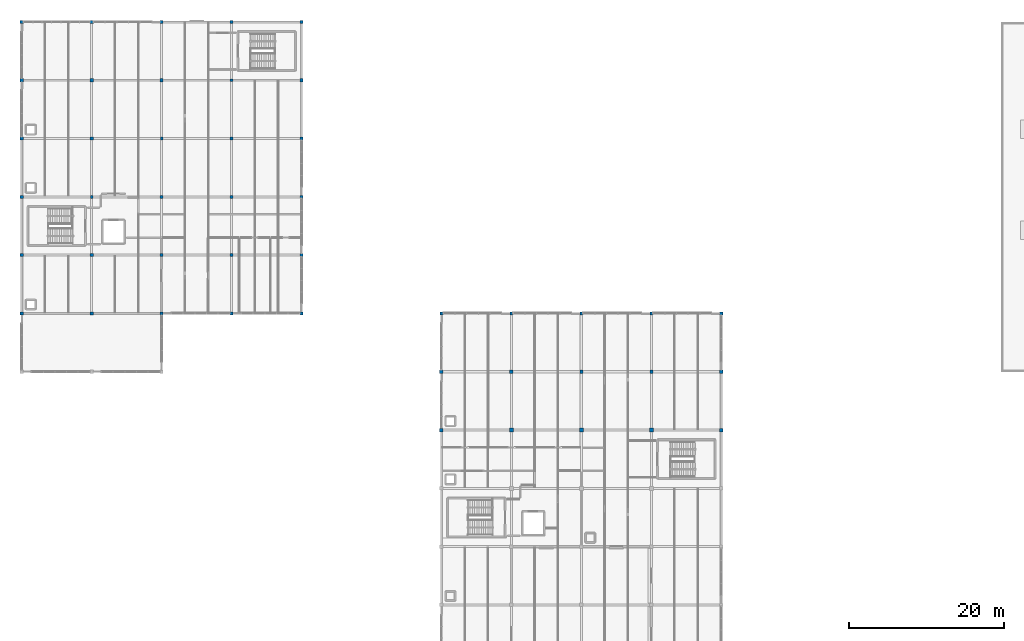
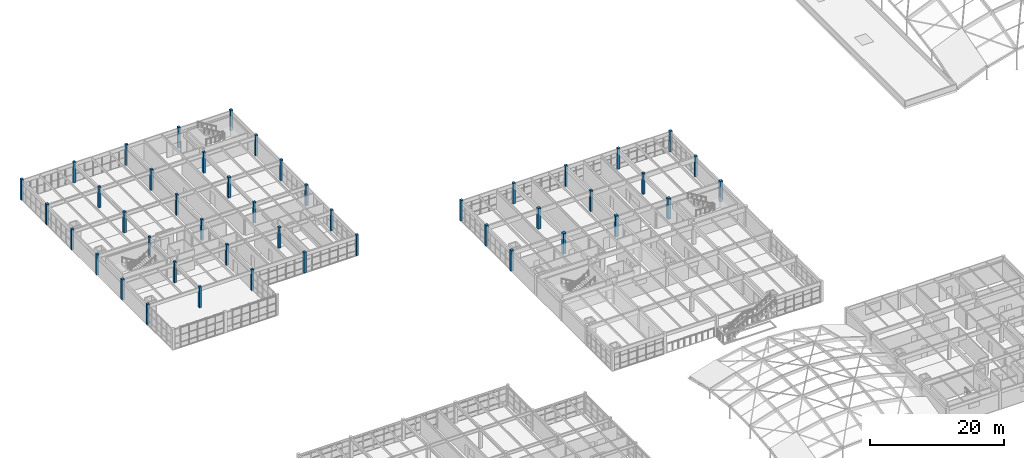
# One storey, part 2 of 81: 45 columns.
"""IFC4 building model written with IfcOpenShell, lengths in metres."""

from ifc_helpers import new_model, si_unit, direction, frame, origin, origin_2d, place, context, subcontext, project, spatial, rectangle, extrude, material, material_profile, profile_set, type_object, element, save


model = new_model("IFC4")

# Units and contexts
model_context = context("Model", 3, precision=1e-05, world=origin(), true_north=direction((0.0, 1.0)))
body_context = subcontext(model_context, "Body", "Model", "MODEL_VIEW")
ifc_project = project(units=[si_unit("LENGTHUNIT", "METRE"), si_unit("AREAUNIT", "SQUARE_METRE"), si_unit("VOLUMEUNIT", "CUBIC_METRE"), si_unit("PLANEANGLEUNIT", "RADIAN"), si_unit("MASSUNIT", "GRAM", prefix="KILO")], contexts=[model_context])

# Site, building, storey
site_placement = place(None, origin())
site = spatial("IfcSite", under=ifc_project, at=site_placement, CompositionType="ELEMENT")
building_placement = place(site_placement, origin())
building = spatial("IfcBuilding", under=site, at=building_placement, Name="Marnridge Secondary College", CompositionType="ELEMENT")
storey_placement = place(building_placement, frame((0.0, 0.0, 8.5)))
storey = spatial("IfcBuildingStorey", under=building, at=storey_placement, Name="L02", CompositionType="ELEMENT", Elevation=8.5)

# Columns
ifc_material_1 = material(Name="Glulam timber GL21", Category="wood")
ifc_material_profile_1 = material_profile(ifc_material_1, rectangle(XDim=0.360107421875, YDim=0.360107421875, at=origin_2d()), Name="GL21 360x360")
ifc_profile_set_1 = profile_set([ifc_material_profile_1], Name="Glulam timber GL21")
column_type_1 = type_object("IfcColumnType", Name="CL-GL360-INT", PredefinedType="COLUMN", material=ifc_profile_set_1)
for number, where, z_axis, x_axis, name in (
    (1, (9.0, 97.5, 0.0), (0.0, 0.0, 1.0), (1.0, 0.0, 0.0), "Column C-L02-0535"),
    (2, (18.0, 105.0, 0.0), (0.0, 0.0, 1.0), (1.0, 0.0, 0.0), "Column C-L02-0565"),
    (3, (27.0, 112.5, 0.0), (0.0, 0.0, 1.0), (1.0, 0.0, 0.0), "Column C-L02-0595"),
):
    element("IfcColumn", number, at=place(storey_placement, frame(where, z_axis=z_axis, x_axis=x_axis)), inside=storey, type_object=column_type_1, Name=name, PredefinedType="COLUMN", context=body_context, shape_type="SweptSolid", body=[
        extrude(rectangle(XDim=0.360107421875, YDim=0.360107421875, at=origin_2d()), origin(), (0.0, 0.0, 1.0), 3.800048828125),
    ])
ifc_material_2 = material(Name="Glulam timber GL21", Category="wood")
ifc_material_profile_2 = material_profile(ifc_material_2, rectangle(XDim=0.39990234375, YDim=0.39990234375, at=origin_2d()), Name="GL21 400x400")
ifc_profile_set_2 = profile_set([ifc_material_profile_2], Name="Glulam timber GL21")
column_type_2 = type_object("IfcColumnType", Name="CL-GL400-EXT", PredefinedType="COLUMN", material=ifc_profile_set_2)
for number, where, z_axis, x_axis, name in (
    (4, (72.0, 75.0, 0.0), (0.0, 0.0, 1.0), (1.0, 0.0, 0.0), "Column C-L02-0442"),
    (5, (81.0, 75.0, 0.0), (0.0, 0.0, 1.0), (1.0, 0.0, 0.0), "Column C-L02-0446"),
    (6, (90.0, 75.0, 0.0), (0.0, 0.0, 1.0), (1.0, 0.0, 0.0), "Column C-L02-0450"),
    (7, (0.0, 82.5, 0.0), (0.0, 0.0, 1.0), (1.0, 0.0, 0.0), "Column C-L02-0466"),
    (8, (18.0, 82.5, 0.0), (0.0, 0.0, 1.0), (1.0, 0.0, 0.0), "Column C-L02-0474"),
    (9, (27.0, 82.5, 0.0), (0.0, 0.0, 1.0), (1.0, 0.0, 0.0), "Column C-L02-0478"),
    (10, (36.0, 82.5, 0.0), (0.0, 0.0, 1.0), (1.0, 0.0, 0.0), "Column C-L02-0481"),
    (11, (54.0, 82.5, 0.0), (0.0, 0.0, 1.0), (1.0, 0.0, 0.0), "Column C-L02-0484"),
    (12, (63.0, 82.5, 0.0), (0.0, 0.0, 1.0), (1.0, 0.0, 0.0), "Column C-L02-0487"),
    (13, (72.0, 82.5, 0.0), (0.0, 0.0, 1.0), (1.0, 0.0, 0.0), "Column C-L02-0490"),
    (14, (81.0, 82.5, 0.0), (0.0, 0.0, 1.0), (1.0, 0.0, 0.0), "Column C-L02-0493"),
    (15, (90.0, 82.5, 0.0), (0.0, 0.0, 1.0), (1.0, 0.0, 0.0), "Column C-L02-0496"),
    (16, (0.0, 90.0, 0.0), (0.0, 0.0, 1.0), (1.0, 0.0, 0.0), "Column C-L02-0505"),
    (17, (18.0, 90.0, 0.0), (0.0, 0.0, 1.0), (1.0, 0.0, 0.0), "Column C-L02-0513"),
    (18, (27.0, 90.0, 0.0), (0.0, 0.0, 1.0), (1.0, 0.0, 0.0), "Column C-L02-0517"),
    (19, (36.0, 90.0, 0.0), (0.0, 0.0, 1.0), (1.0, 0.0, 0.0), "Column C-L02-0521"),
    (20, (0.0, 97.5, 0.0), (0.0, 0.0, 1.0), (1.0, 0.0, 0.0), "Column C-L02-0531"),
    (21, (36.0, 97.5, 0.0), (0.0, 0.0, 1.0), (1.0, 0.0, 0.0), "Column C-L02-0547"),
    (22, (0.0, 105.0, 0.0), (0.0, 0.0, 1.0), (1.0, 0.0, 0.0), "Column C-L02-0557"),
    (23, (36.0, 105.0, 0.0), (0.0, 0.0, 1.0), (1.0, 0.0, 0.0), "Column C-L02-0573"),
    (24, (0.0, 112.5, 0.0), (0.0, 0.0, 1.0), (1.0, 0.0, 0.0), "Column C-L02-0583"),
    (25, (36.0, 112.5, 0.0), (0.0, 0.0, 1.0), (1.0, 0.0, 0.0), "Column C-L02-0599"),
    (26, (0.0, 120.0, 0.0), (0.0, 0.0, 1.0), (1.0, 0.0, 0.0), "Column C-L02-0609"),
    (27, (9.0, 120.0, 0.0), (0.0, 0.0, 1.0), (1.0, 0.0, 0.0), "Column C-L02-0613"),
    (28, (18.0, 120.0, 0.0), (0.0, 0.0, 1.0), (1.0, 0.0, 0.0), "Column C-L02-0617"),
    (29, (27.0, 120.0, 0.0), (0.0, 0.0, 1.0), (1.0, 0.0, 0.0), "Column C-L02-0621"),
    (30, (36.0, 120.0, 0.0), (0.0, 0.0, 1.0), (1.0, 0.0, 0.0), "Column C-L02-0625"),
):
    element("IfcColumn", number, at=place(storey_placement, frame(where, z_axis=z_axis, x_axis=x_axis)), inside=storey, type_object=column_type_2, Name=name, PredefinedType="COLUMN", context=body_context, shape_type="SweptSolid", body=[
        extrude(rectangle(XDim=0.39990234375, YDim=0.39990234375, at=origin_2d()), origin(), (0.0, 0.0, 1.0), 3.800048828125),
    ])
ifc_material_3 = material(Name="Glulam timber GL21", Category="wood")
ifc_material_profile_3 = material_profile(ifc_material_3, rectangle(XDim=0.39990234375, YDim=0.39990234375, at=origin_2d()), Name="GL21 400x400")
ifc_profile_set_3 = profile_set([ifc_material_profile_3], Name="Glulam timber GL21")
column_type_3 = type_object("IfcColumnType", Name="CL-GL400-INT", PredefinedType="COLUMN", material=ifc_profile_set_3)
for number, where, z_axis, x_axis, name in (
    (31, (9.0, 82.5, 0.0), (0.0, 0.0, 1.0), (1.0, 0.0, 0.0), "Column C-L02-0470"),
    (32, (9.0, 90.0, 0.0), (0.0, 0.0, 1.0), (1.0, 0.0, 0.0), "Column C-L02-0509"),
    (33, (18.0, 97.5, 0.0), (0.0, 0.0, 1.0), (1.0, 0.0, 0.0), "Column C-L02-0539"),
    (34, (27.0, 97.5, 0.0), (0.0, 0.0, 1.0), (1.0, 0.0, 0.0), "Column C-L02-0543"),
    (35, (9.0, 105.0, 0.0), (0.0, 0.0, 1.0), (1.0, 0.0, 0.0), "Column C-L02-0561"),
    (36, (27.0, 105.0, 0.0), (0.0, 0.0, 1.0), (1.0, 0.0, 0.0), "Column C-L02-0569"),
    (37, (9.0, 112.5, 0.0), (0.0, 0.0, 1.0), (1.0, 0.0, 0.0), "Column C-L02-0587"),
    (38, (18.0, 112.5, 0.0), (0.0, 0.0, 1.0), (1.0, 0.0, 0.0), "Column C-L02-0591"),
):
    element("IfcColumn", number, at=place(storey_placement, frame(where, z_axis=z_axis, x_axis=x_axis)), inside=storey, type_object=column_type_3, Name=name, PredefinedType="COLUMN", context=body_context, shape_type="SweptSolid", body=[
        extrude(rectangle(XDim=0.39990234375, YDim=0.39990234375, at=origin_2d()), origin(), (0.0, 0.0, 1.0), 3.800048828125),
    ])
ifc_material_4 = material(Name="Glulam timber GL21", Category="wood")
ifc_material_profile_4 = material_profile(ifc_material_4, rectangle(XDim=0.449951171875, YDim=0.449951171875, at=origin_2d()), Name="GL21 450x450")
ifc_profile_set_4 = profile_set([ifc_material_profile_4], Name="Glulam timber GL21")
column_type_4 = type_object("IfcColumnType", Name="CL-GL450-EXT", PredefinedType="COLUMN", material=ifc_profile_set_4)
for number, where, z_axis, x_axis, name in (
    (39, (54.0, 67.5, 0.0), (0.0, 0.0, 1.0), (1.0, 0.0, 0.0), "Column C-L02-0388"),
    (40, (90.0, 67.5, 0.0), (0.0, 0.0, 1.0), (1.0, 0.0, 0.0), "Column C-L02-0416"),
    (41, (54.0, 75.0, 0.0), (0.0, 0.0, 1.0), (1.0, 0.0, 0.0), "Column C-L02-0432"),
    (42, (63.0, 75.0, 0.0), (0.0, 0.0, 1.0), (1.0, 0.0, 0.0), "Column C-L02-0437"),
):
    element("IfcColumn", number, at=place(storey_placement, frame(where, z_axis=z_axis, x_axis=x_axis)), inside=storey, type_object=column_type_4, Name=name, PredefinedType="COLUMN", context=body_context, shape_type="SweptSolid", body=[
        extrude(rectangle(XDim=0.449951171875, YDim=0.449951171875, at=origin_2d()), origin(), (0.0, 0.0, 1.0), 3.800048828125),
    ])
ifc_material_5 = material(Name="Glulam timber GL21", Category="wood")
ifc_material_profile_5 = material_profile(ifc_material_5, rectangle(XDim=0.5, YDim=0.5, at=origin_2d()), Name="GL21 500x500")
ifc_profile_set_5 = profile_set([ifc_material_profile_5], Name="Glulam timber GL21")
column_type_5 = type_object("IfcColumnType", Name="CL-GL500-INT", PredefinedType="COLUMN", material=ifc_profile_set_5)
for number, where, z_axis, x_axis, name in (
    (43, (63.0, 67.5, 0.0), (0.0, 0.0, 1.0), (1.0, 0.0, 0.0), "Column C-L02-0395"),
    (44, (72.0, 67.5, 0.0), (0.0, 0.0, 1.0), (1.0, 0.0, 0.0), "Column C-L02-0402"),
    (45, (81.0, 67.5, 0.0), (0.0, 0.0, 1.0), (1.0, 0.0, 0.0), "Column C-L02-0409"),
):
    element("IfcColumn", number, at=place(storey_placement, frame(where, z_axis=z_axis, x_axis=x_axis)), inside=storey, type_object=column_type_5, Name=name, PredefinedType="COLUMN", context=body_context, shape_type="SweptSolid", body=[
        extrude(rectangle(XDim=0.5, YDim=0.5, at=origin_2d()), origin(), (0.0, 0.0, 1.0), 3.800048828125),
    ])

save(model, "model.ifc")
